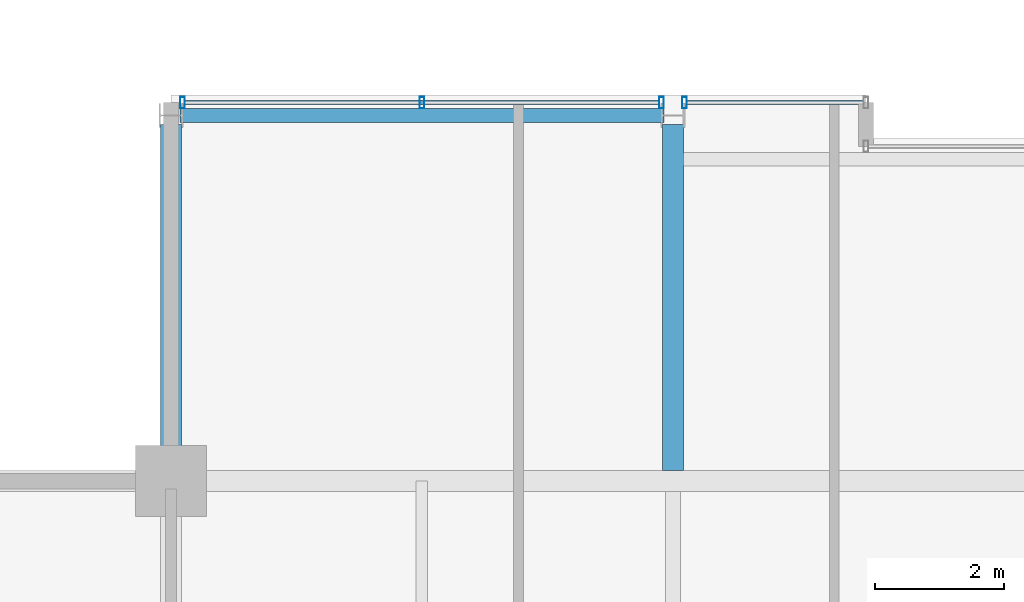
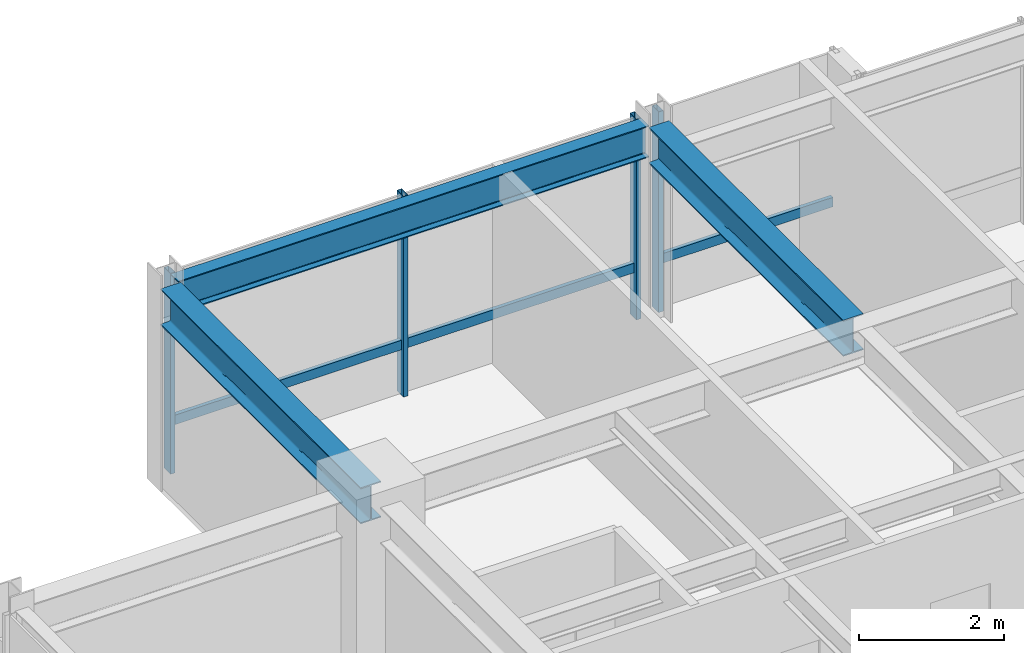
# One storey, part 21 of 33: 6 members, 3 beams, 2 elements without a shape of their own.
"""IFC4 building model written with IfcOpenShell, lengths in metres."""

from ifc_helpers import new_model, si_unit, direction, frame, origin, origin_2d, place, context, subcontext, project, spatial, hollow_rectangle, i_section, extrude, material, layer, layer_set, material_profile, profile_set, type_object, element, aggregate, save


model = new_model("IFC4")

# Units and contexts
model_context = context("Model", 3, precision=1e-05, world=origin(), true_north=direction((0.0, 1.0)))
body_context = subcontext(model_context, "Body", "Model", "MODEL_VIEW")
ifc_project = project(units=[si_unit("LENGTHUNIT", "METRE"), si_unit("AREAUNIT", "SQUARE_METRE"), si_unit("VOLUMEUNIT", "CUBIC_METRE"), si_unit("PLANEANGLEUNIT", "RADIAN"), si_unit("MASSUNIT", "GRAM", prefix="KILO")], contexts=[model_context])

# Site, building, storey
site_placement = place(None, origin())
site = spatial("IfcSite", under=ifc_project, at=site_placement, CompositionType="ELEMENT")
building_placement = place(site_placement, origin())
building = spatial("IfcBuilding", under=site, at=building_placement, Name="Drelvath Grand Hotel", CompositionType="ELEMENT")
storey_placement = place(building_placement, frame((0.0, 0.0, 268.64990234375)))
storey = spatial("IfcBuildingStorey", under=building, at=storey_placement, Name="L70", CompositionType="ELEMENT", Elevation=268.64990234375)

# Curtain wall, member
ifc_material_1 = material(Name="Platinum-Mist Anodised Aluminium Frame", Category="aluminium")
ifc_layer = layer(ifc_material_1, 0.199951171875)
ifc_layer_set = layer_set([ifc_layer], Name="Platinum-Mist Anodised Aluminium Frame")
curtain_wall_type = type_object("IfcCurtainWallType", Name="Stick Curtain Wall CW-05 Platinum Mist High-Rise", PredefinedType="NOTDEFINED", material=ifc_layer_set)
curtain_wall_1_placement = place(storey_placement, origin())
curtain_wall_1 = element("IfcCurtainWall", 1, at=curtain_wall_1_placement, inside=storey, type_object=curtain_wall_type, Name="L70 CW-05 Curtain Wall CW05-L70-NW1", PredefinedType="NOTDEFINED")
ifc_material_profile_1 = material_profile(ifc_material_1, hollow_rectangle(XDim=0.06494140625, YDim=0.159912109375, WallThickness=0.00390625, at=origin_2d()), Name="HSS160X65X4")
ifc_profile_set_1 = profile_set([ifc_material_profile_1], Name="Platinum-Mist Anodised Aluminium Frame")
member_type_1 = type_object("IfcMemberType", Name="Curtain Wall Horizontal Transom CW-05 HSS160X65X4", PredefinedType="USERDEFINED", material=ifc_profile_set_1)
member_1_placement = place(storey_placement, frame((-15.981689453125, 49.080078125, 0.84765625), z_axis=(1.0, 0.0, 0.0), x_axis=(0.0, 1.0, 0.0)))
member_1 = element("IfcMember", 2, at=member_1_placement, type_object=member_type_1, Name="CW05-L70-NW1 Sill Transom", ObjectType="TRANSOM", PredefinedType="USERDEFINED", context=body_context, shape_type="SweptSolid", body=[
    extrude(hollow_rectangle(XDim=0.06494140625, YDim=0.159912109375, WallThickness=0.00390625, at=origin_2d()), origin(), (0.0, 0.0, 1.0), 7.363525390625),
])

curtain_wall_2_placement = place(storey_placement, origin())
curtain_wall_2 = element("IfcCurtainWall", 3, at=curtain_wall_2_placement, inside=storey, type_object=curtain_wall_type, Name="L70 CW-05 Curtain Wall CW05-L70-NW2", PredefinedType="NOTDEFINED")
member_2_placement = place(storey_placement, frame((-8.181884765625, 49.080078125, 0.84765625), z_axis=(1.0, 0.0, 0.0), x_axis=(0.0, 1.0, 0.0)))
member_2 = element("IfcMember", 4, at=member_2_placement, type_object=member_type_1, Name="CW05-L70-NW2 Sill Transom", ObjectType="TRANSOM", PredefinedType="USERDEFINED", context=body_context, shape_type="SweptSolid", body=[
    extrude(hollow_rectangle(XDim=0.06494140625, YDim=0.159912109375, WallThickness=0.00390625, at=origin_2d()), origin(), (0.0, 0.0, 1.0), 2.741943359375),
])

# Member
ifc_material_profile_2 = material_profile(ifc_material_1, hollow_rectangle(XDim=0.074951171875, YDim=0.179931640625, WallThickness=0.0048828125, at=origin_2d()), Name="HSS180X75X5")
ifc_profile_set_2 = profile_set([ifc_material_profile_2], Name="Platinum-Mist Anodised Aluminium Frame")
member_type_2 = type_object("IfcMemberType", Name="Curtain Wall Vertical Mullion CW-05 HSS180X75X5", PredefinedType="MULLION", material=ifc_profile_set_2)
member_3_placement = place(storey_placement, frame((-16.021728515625, 49.080078125, 0.0), z_axis=(0.0, 0.0, 1.0), x_axis=(1.0, 0.0, 0.0)))
member_3 = element("IfcMember", 5, at=member_3_placement, type_object=member_type_2, Name="CW05-L70-NW1 Mullion 1", PredefinedType="MULLION", context=body_context, shape_type="SweptSolid", body=[
    extrude(hollow_rectangle(XDim=0.074951171875, YDim=0.179931640625, WallThickness=0.0048828125, at=origin_2d()), origin(), (0.0, 0.0, 1.0), 3.39013671875),
])

member_4_placement = place(storey_placement, frame((-12.300048828125, 49.080078125, 0.0), z_axis=(0.0, 0.0, 1.0), x_axis=(1.0, 0.0, 0.0)))
member_4 = element("IfcMember", 6, at=member_4_placement, type_object=member_type_2, Name="CW05-L70-NW1 Mullion 2", PredefinedType="MULLION", context=body_context, shape_type="SweptSolid", body=[
    extrude(hollow_rectangle(XDim=0.074951171875, YDim=0.179931640625, WallThickness=0.0048828125, at=origin_2d()), origin(), (0.0, 0.0, 1.0), 3.39013671875),
])

member_5_placement = place(storey_placement, frame((-8.578125, 49.080078125, 0.0), z_axis=(0.0, 0.0, 1.0), x_axis=(1.0, 0.0, 0.0)))
member_5 = element("IfcMember", 7, at=member_5_placement, type_object=member_type_2, Name="CW05-L70-NW1 Mullion 3", PredefinedType="MULLION", context=body_context, shape_type="SweptSolid", body=[
    extrude(hollow_rectangle(XDim=0.074951171875, YDim=0.179931640625, WallThickness=0.0048828125, at=origin_2d()), origin(), (0.0, 0.0, 1.0), 3.39013671875),
])

aggregate(curtain_wall_1, [member_3, member_4, member_5, member_1])

member_6_placement = place(storey_placement, frame((-8.2216796875, 49.080078125, 0.0), z_axis=(0.0, 0.0, 1.0), x_axis=(1.0, 0.0, 0.0)))
member_6 = element("IfcMember", 8, at=member_6_placement, type_object=member_type_2, Name="CW05-L70-NW2 Mullion 1", PredefinedType="MULLION", context=body_context, shape_type="SweptSolid", body=[
    extrude(hollow_rectangle(XDim=0.074951171875, YDim=0.179931640625, WallThickness=0.0048828125, at=origin_2d()), origin(), (0.0, 0.0, 1.0), 3.39013671875),
])

aggregate(curtain_wall_2, [member_6, member_2])

# Beams
ifc_material_2 = material(Name="Steel ASTM A992 Gr 50", Category="steel")
ifc_material_profile_3 = material_profile(ifc_material_2, i_section(OverallWidth=0.210205078125, OverallDepth=0.53662109375, WebThickness=0.010986328125, FlangeThickness=0.017333984375, FilletRadius=0.01806640625, at=origin_2d()), Name="W21X68")
ifc_profile_set_3 = profile_set([ifc_material_profile_3], Name="Steel ASTM A992 Gr 50")
beam_type_1 = type_object("IfcBeamType", Name="Perimeter Spandrel Beam W21X68", PredefinedType="SPANDREL", material=ifc_profile_set_3)
beam_1_placement = place(storey_placement, frame((-16.06005859375, 48.8798828125, 3.121826171875), z_axis=(1.0, 0.0, 0.0), x_axis=(0.0, 1.0, 0.0)))
element("IfcBeam", 9, at=beam_1_placement, inside=storey, type_object=beam_type_1, Name="L70 Spandrel North W", PredefinedType="SPANDREL", context=body_context, shape_type="SweptSolid", body=[
    extrude(i_section(OverallWidth=0.210205078125, OverallDepth=0.53662109375, WebThickness=0.010986328125, FlangeThickness=0.017333984375, FilletRadius=0.01806640625, at=origin_2d()), origin(), (0.0, 0.0, 1.0), 7.52001953125),
])
ifc_material_profile_4 = material_profile(ifc_material_2, i_section(OverallWidth=0.323974609375, OverallDepth=0.611083984375, WebThickness=0.0126953125, FlangeThickness=0.01904296875, FilletRadius=0.02197265625, at=origin_2d()), Name="W24X104")
ifc_profile_set_4 = profile_set([ifc_material_profile_4], Name="Steel ASTM A992 Gr 50")
beam_type_2 = type_object("IfcBeamType", Name="Primary Floor Girder W24X104", PredefinedType="BEAM", material=ifc_profile_set_4)
beam_2_placement = place(storey_placement, frame((-16.199951171875, 43.199951171875, 3.084716796875), z_axis=(0.0, 1.0, 0.0), x_axis=(-1.0, 0.0, 0.0)))
element("IfcBeam", 10, at=beam_2_placement, inside=storey, type_object=beam_type_2, Name="L70 North Grid Girder 3", PredefinedType="BEAM", context=body_context, shape_type="SweptSolid", body=[
    extrude(i_section(OverallWidth=0.323974609375, OverallDepth=0.611083984375, WebThickness=0.0126953125, FlangeThickness=0.01904296875, FilletRadius=0.02197265625, at=origin_2d()), origin(), (0.0, 0.0, 1.0), 5.5400390625),
])
beam_3_placement = place(storey_placement, frame((-8.39990234375, 43.362060546875, 3.084716796875), z_axis=(0.0, 1.0, 0.0), x_axis=(-1.0, 0.0, 0.0)))
element("IfcBeam", 11, at=beam_3_placement, inside=storey, type_object=beam_type_2, Name="L70 North Wing Girder 4", PredefinedType="BEAM", context=body_context, shape_type="SweptSolid", body=[
    extrude(i_section(OverallWidth=0.323974609375, OverallDepth=0.611083984375, WebThickness=0.0126953125, FlangeThickness=0.01904296875, FilletRadius=0.02197265625, at=origin_2d()), origin(), (0.0, 0.0, 1.0), 5.3779296875),
])

save(model, "model.ifc")
